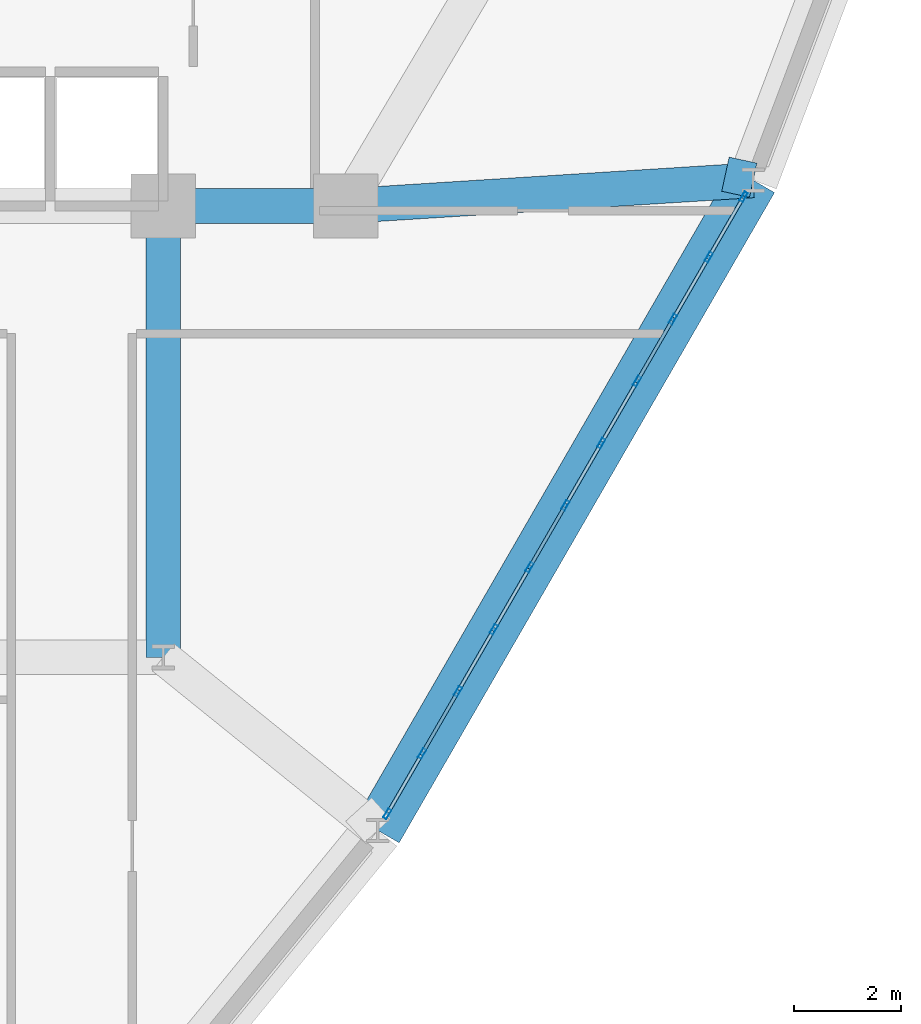
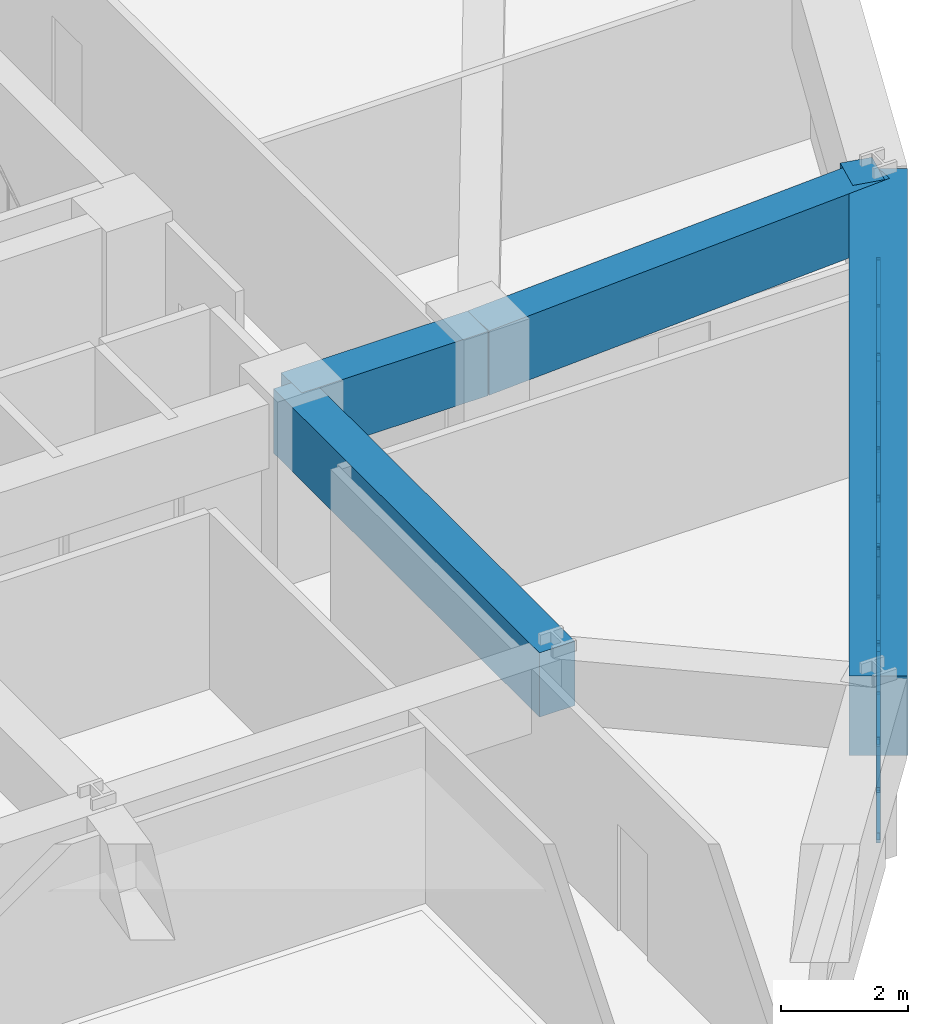
# One storey, part 6 of 15: 34 members, 5 beams, 1 element without a shape of its own.
"""IFC4 building model written with IfcOpenShell, lengths in metres."""

from ifc_helpers import new_model, si_unit, derived_unit, direction, frame, origin, origin_2d, place, context, subcontext, project, spatial, rectangle, hollow_rectangle, extrude, source, transform, mapped, material, layer, layer_set, material_profile, profile_set, type_object, element, aggregate, save


model = new_model("IFC4")

# Units and contexts
model_context = context("Model", 3, precision=1e-05, world=origin(), true_north=direction((0.0, 1.0)))
body_context = subcontext(model_context, "Body", "Model", "MODEL_VIEW")
ifc_project = project(units=[si_unit("LENGTHUNIT", "METRE"), si_unit("AREAUNIT", "SQUARE_METRE"), si_unit("VOLUMEUNIT", "CUBIC_METRE"), si_unit("PLANEANGLEUNIT", "RADIAN"), si_unit("MASSUNIT", "GRAM", prefix="KILO"), derived_unit("THERMALTRANSMITTANCEUNIT", [(si_unit("POWERUNIT", "WATT"), 1), (si_unit("LENGTHUNIT", "METRE"), -2), (si_unit("THERMODYNAMICTEMPERATUREUNIT", "KELVIN"), -1)])], contexts=[model_context])

# Site, building, storey
site_placement = place(None, origin())
site = spatial("IfcSite", under=ifc_project, at=site_placement, CompositionType="ELEMENT")
building_placement = place(site_placement, origin())
building = spatial("IfcBuilding", under=site, at=building_placement, Name="Korsvarv Bourse and Concert Hall", CompositionType="ELEMENT")
storey_placement = place(building_placement, frame((0.0, 0.0, 117.0)))
storey = spatial("IfcBuildingStorey", under=building, at=storey_placement, Name="L29", CompositionType="ELEMENT", Elevation=117.0)

# Beams
ifc_material_1 = material(Name="Concrete C50/60", Category="concrete")
ifc_material_profile_1 = material_profile(ifc_material_1, rectangle(XDim=0.64990234375, YDim=1.239990234375, at=origin_2d()), Name="RC-BM 650x1240")
ifc_profile_set_1 = profile_set([ifc_material_profile_1], Name="Concrete C50/60")
beam_type_1 = type_object("IfcBeamType", Name="BM-TR-SPN", PredefinedType="BEAM", material=ifc_profile_set_1)
shared_shape_1 = source(origin(), body_context, "Body", "SweptSolid", [
    extrude(rectangle(XDim=0.64990234375, YDim=1.239990234375, at=origin_2d()), origin(), (0.0, 0.0, 1.0), 3.400146484375),
])
beam_1_placement = place(storey_placement, frame((44.39990234375, 32.39990234375, 2.780029296875), z_axis=(1.0, 0.0, 0.0), x_axis=(0.0, 1.0, 0.0)))
element("IfcBeam", 1, at=beam_1_placement, inside=storey, type_object=beam_type_1, Name="L29 beam B-TRS", PredefinedType="BEAM", context=body_context, shape_type="MappedRepresentation", body=[
    mapped(shared_shape_1, transform((0.0, 0.0, 0.0), scale=1.0)),
])
shared_shape_2 = source(origin(), body_context, "Body", "SweptSolid", [
    extrude(rectangle(XDim=0.64990234375, YDim=1.239990234375, at=origin_2d()), origin(), (0.0, 0.0, 1.0), 8.39990234375),
])
beam_2_placement = place(storey_placement, frame((44.39990234375, 24.0, 2.780029296875), z_axis=(0.0, 1.0, 0.0), x_axis=(-1.0, 0.0, 0.0)))
element("IfcBeam", 2, at=beam_2_placement, inside=storey, type_object=beam_type_1, Name="L29 beam B-TRS", PredefinedType="BEAM", context=body_context, shape_type="MappedRepresentation", body=[
    mapped(shared_shape_2, transform((0.0, 0.0, 0.0), scale=1.0)),
])
ifc_material_profile_2 = material_profile(ifc_material_1, rectangle(XDim=0.919921875, YDim=1.530029296875, at=origin_2d()), Name="RC-BM 920x1530")
ifc_profile_set_2 = profile_set([ifc_material_profile_2], Name="Concrete C50/60")
beam_type_2 = type_object("IfcBeamType", Name="BM-TR-154", PredefinedType="BEAM", material=ifc_profile_set_2)
shared_shape_3 = source(origin(), body_context, "Body", "SweptSolid", [
    extrude(rectangle(XDim=0.919921875, YDim=1.530029296875, at=origin_2d()), origin(), (0.0, 0.0, 1.0), 13.97607421875),
])
beam_3_placement = place(storey_placement, frame((48.392822265625, 20.77587890625, 2.635009765625), z_axis=(0.500003708422, 0.866023262716, 0.0), x_axis=(-0.866023262716, 0.500003708422, 0.0)))
element("IfcBeam", 3, at=beam_3_placement, inside=storey, type_object=beam_type_2, Name="L29 beam B-TR6", PredefinedType="BEAM", context=body_context, shape_type="MappedRepresentation", body=[
    mapped(shared_shape_3, transform((0.0, 0.0, 0.0), scale=1.0)),
])
shared_shape_4 = source(origin(), body_context, "Body", "SweptSolid", [
    extrude(rectangle(XDim=0.64990234375, YDim=1.239990234375, at=origin_2d()), origin(), (0.0, 0.0, 1.0), 7.595947265625),
])
beam_4_placement = place(storey_placement, frame((55.380859375, 32.87939453125, 2.780029296875), z_axis=(-0.998005651397, -0.063124636867, 0.0), x_axis=(0.063124636867, -0.998005651397, 0.0)))
element("IfcBeam", 4, at=beam_4_placement, inside=storey, type_object=beam_type_1, Name="L29 beam B-TRS", PredefinedType="BEAM", context=body_context, shape_type="MappedRepresentation", body=[
    mapped(shared_shape_4, transform((0.0, 0.0, 0.0), scale=1.0)),
])
shared_shape_5 = source(origin(), body_context, "Body", "SweptSolid", [
    extrude(rectangle(XDim=0.64990234375, YDim=1.239990234375, at=origin_2d()), origin(), (0.0, 0.0, 1.0), 0.528564453125),
])
beam_5_placement = place(storey_placement, frame((55.380859375, 32.87939453125, 2.780029296875), z_axis=(-0.977272135556, 0.211988615416, 0.0), x_axis=(-0.211988615416, -0.977272135556, 0.0)))
element("IfcBeam", 5, at=beam_5_placement, inside=storey, type_object=beam_type_1, Name="L29 beam B-TRS", PredefinedType="BEAM", context=body_context, shape_type="MappedRepresentation", body=[
    mapped(shared_shape_5, transform((0.0, 0.0, 0.0), scale=1.0)),
])

# Curtain wall, members
ifc_material_2 = material(Name="Anodised aluminium and triple low-E glazing", Category="glass")
ifc_layer = layer(ifc_material_2, 0.2099609375)
ifc_layer_set = layer_set([ifc_layer], Name="Anodised aluminium and triple low-E glazing")
curtain_wall_type = type_object("IfcCurtainWallType", Name="CW-SYS-2", PredefinedType="NOTDEFINED", material=ifc_layer_set)
curtain_wall_placement = place(storey_placement, origin())
curtain_wall = element("IfcCurtainWall", 6, at=curtain_wall_placement, inside=storey, type_object=curtain_wall_type, Name="L29 CW2 curtain wall CW-L29-F11", PredefinedType="NOTDEFINED")
ifc_material_3 = material(Name="Extruded aluminium EN AW-6063 T66", Category="aluminium")
ifc_material_profile_3 = material_profile(ifc_material_3, hollow_rectangle(XDim=0.070068359375, YDim=0.18994140625, WallThickness=0.0048828125, at=origin_2d()), Name="ALU-M 70x190")
ifc_profile_set_3 = profile_set([ifc_material_profile_3], Name="Extruded aluminium EN AW-6063 T66")
member_type_1 = type_object("IfcMemberType", Name="CWM-190", PredefinedType="MULLION", material=ifc_profile_set_3)
shared_shape_6 = source(origin(), body_context, "Body", "SweptSolid", [
    extrude(hollow_rectangle(XDim=0.070068359375, YDim=0.18994140625, WallThickness=0.0048828125, at=origin_2d()), origin(), (0.0, 0.0, 1.0), 1.8701171875),
])
member_1_placement = place(storey_placement, frame((48.570556640625, 21.083740234375, 0.0), z_axis=(0.0, 0.0, 1.0), x_axis=(-0.866021744853, 0.500006337402, 0.0)))
member_1 = element("IfcMember", 7, at=member_1_placement, type_object=member_type_1, Name="CW2 mullion 1", PredefinedType="MULLION", context=body_context, shape_type="MappedRepresentation", body=[
    mapped(shared_shape_6, transform((0.0, 0.0, 0.0), scale=1.0)),
])
member_2_placement = place(storey_placement, frame((49.2197265625, 22.208251953125, 0.0), z_axis=(0.0, 0.0, 1.0), x_axis=(-0.866021744853, 0.500006337402, 0.0)))
member_2 = element("IfcMember", 8, at=member_2_placement, type_object=member_type_1, Name="CW2 mullion 2", PredefinedType="MULLION", context=body_context, shape_type="MappedRepresentation", body=[
    mapped(shared_shape_6, transform((0.0, 0.0, 0.0), scale=1.0)),
])
member_3_placement = place(storey_placement, frame((49.886474609375, 23.363037109375, 0.0), z_axis=(0.0, 0.0, 1.0), x_axis=(-0.866021744853, 0.500006337402, 0.0)))
member_3 = element("IfcMember", 9, at=member_3_placement, type_object=member_type_1, Name="CW2 mullion 3", PredefinedType="MULLION", context=body_context, shape_type="MappedRepresentation", body=[
    mapped(shared_shape_6, transform((0.0, 0.0, 0.0), scale=1.0)),
])
member_4_placement = place(storey_placement, frame((50.55322265625, 24.51806640625, 0.0), z_axis=(0.0, 0.0, 1.0), x_axis=(-0.866021744853, 0.500006337402, 0.0)))
member_4 = element("IfcMember", 10, at=member_4_placement, type_object=member_type_1, Name="CW2 mullion 4", PredefinedType="MULLION", context=body_context, shape_type="MappedRepresentation", body=[
    mapped(shared_shape_6, transform((0.0, 0.0, 0.0), scale=1.0)),
])
member_5_placement = place(storey_placement, frame((51.219970703125, 25.6728515625, 0.0), z_axis=(0.0, 0.0, 1.0), x_axis=(-0.866021744853, 0.500006337402, 0.0)))
member_5 = element("IfcMember", 11, at=member_5_placement, type_object=member_type_1, Name="CW2 mullion 5", PredefinedType="MULLION", context=body_context, shape_type="MappedRepresentation", body=[
    mapped(shared_shape_6, transform((0.0, 0.0, 0.0), scale=1.0)),
])
member_6_placement = place(storey_placement, frame((51.886962890625, 26.82763671875, 0.0), z_axis=(0.0, 0.0, 1.0), x_axis=(-0.866021744853, 0.500006337402, 0.0)))
member_6 = element("IfcMember", 12, at=member_6_placement, type_object=member_type_1, Name="CW2 mullion 6", PredefinedType="MULLION", context=body_context, shape_type="MappedRepresentation", body=[
    mapped(shared_shape_6, transform((0.0, 0.0, 0.0), scale=1.0)),
])
member_7_placement = place(storey_placement, frame((52.5537109375, 27.982666015625, 0.0), z_axis=(0.0, 0.0, 1.0), x_axis=(-0.866021744853, 0.500006337402, 0.0)))
member_7 = element("IfcMember", 13, at=member_7_placement, type_object=member_type_1, Name="CW2 mullion 7", PredefinedType="MULLION", context=body_context, shape_type="MappedRepresentation", body=[
    mapped(shared_shape_6, transform((0.0, 0.0, 0.0), scale=1.0)),
])
member_8_placement = place(storey_placement, frame((53.220458984375, 29.137451171875, 0.0), z_axis=(0.0, 0.0, 1.0), x_axis=(-0.866021744853, 0.500006337402, 0.0)))
member_8 = element("IfcMember", 14, at=member_8_placement, type_object=member_type_1, Name="CW2 mullion 8", PredefinedType="MULLION", context=body_context, shape_type="MappedRepresentation", body=[
    mapped(shared_shape_6, transform((0.0, 0.0, 0.0), scale=1.0)),
])
member_9_placement = place(storey_placement, frame((53.88720703125, 30.292236328125, 0.0), z_axis=(0.0, 0.0, 1.0), x_axis=(-0.866021744853, 0.500006337402, 0.0)))
member_9 = element("IfcMember", 15, at=member_9_placement, type_object=member_type_1, Name="CW2 mullion 9", PredefinedType="MULLION", context=body_context, shape_type="MappedRepresentation", body=[
    mapped(shared_shape_6, transform((0.0, 0.0, 0.0), scale=1.0)),
])
member_10_placement = place(storey_placement, frame((54.553955078125, 31.447021484375, 0.0), z_axis=(0.0, 0.0, 1.0), x_axis=(-0.866021744853, 0.500006337402, 0.0)))
member_10 = element("IfcMember", 16, at=member_10_placement, type_object=member_type_1, Name="CW2 mullion 10", PredefinedType="MULLION", context=body_context, shape_type="MappedRepresentation", body=[
    mapped(shared_shape_6, transform((0.0, 0.0, 0.0), scale=1.0)),
])
member_11_placement = place(storey_placement, frame((55.203125, 32.57177734375, 0.0), z_axis=(0.0, 0.0, 1.0), x_axis=(-0.866021744853, 0.500006337402, 0.0)))
member_11 = element("IfcMember", 17, at=member_11_placement, type_object=member_type_1, Name="CW2 mullion 11", PredefinedType="MULLION", context=body_context, shape_type="MappedRepresentation", body=[
    mapped(shared_shape_6, transform((0.0, 0.0, 0.0), scale=1.0)),
])
ifc_material_profile_4 = material_profile(ifc_material_3, hollow_rectangle(XDim=0.06494140625, YDim=0.139892578125, WallThickness=0.00390625, at=origin_2d()), Name="ALU-T 65x140")
ifc_profile_set_4 = profile_set([ifc_material_profile_4], Name="Extruded aluminium EN AW-6063 T66")
member_type_2 = type_object("IfcMemberType", Name="CWT-140", PredefinedType="USERDEFINED", material=ifc_profile_set_4)
shared_shape_7 = source(origin(), body_context, "Body", "SweptSolid", [
    extrude(hollow_rectangle(XDim=0.06494140625, YDim=0.139892578125, WallThickness=0.00390625, at=origin_2d()), origin(), (0.0, 0.0, 1.0), 1.228271484375),
])
member_12_placement = place(storey_placement, frame((54.571533203125, 31.4775390625, 0.032470703125), z_axis=(0.500072277755, 0.865983670182, 0.0), x_axis=(-0.865983670182, 0.500072277755, 0.0)))
member_12 = element("IfcMember", 18, at=member_12_placement, type_object=member_type_2, Name="CW2 transom 10.1", ObjectType="TRANSOM", PredefinedType="USERDEFINED", context=body_context, shape_type="MappedRepresentation", body=[
    mapped(shared_shape_7, transform((0.0, 0.0, 0.0), scale=1.0)),
])
member_13_placement = place(storey_placement, frame((54.571533203125, 31.4775390625, 1.83740234375), z_axis=(0.500072277755, 0.865983670182, 0.0), x_axis=(-0.865983670182, 0.500072277755, 0.0)))
member_13 = element("IfcMember", 19, at=member_13_placement, type_object=member_type_2, Name="CW2 transom 10.2", ObjectType="TRANSOM", PredefinedType="USERDEFINED", context=body_context, shape_type="MappedRepresentation", body=[
    mapped(shared_shape_7, transform((0.0, 0.0, 0.0), scale=1.0)),
])
shared_shape_8 = source(origin(), body_context, "Body", "SweptSolid", [
    extrude(hollow_rectangle(XDim=0.06494140625, YDim=0.139892578125, WallThickness=0.00390625, at=origin_2d()), origin(), (0.0, 0.0, 1.0), 1.263671875),
])
member_14_placement = place(storey_placement, frame((49.2373046875, 22.238525390625, 0.032470703125), z_axis=(0.500045805297, 0.865998956469, 0.0), x_axis=(-0.865998956469, 0.500045805297, 0.0)))
member_14 = element("IfcMember", 20, at=member_14_placement, type_object=member_type_2, Name="CW2 transom 2.1", ObjectType="TRANSOM", PredefinedType="USERDEFINED", context=body_context, shape_type="MappedRepresentation", body=[
    mapped(shared_shape_8, transform((0.0, 0.0, 0.0), scale=1.0)),
])
member_15_placement = place(storey_placement, frame((49.2373046875, 22.238525390625, 1.83740234375), z_axis=(0.500045805297, 0.865998956469, 0.0), x_axis=(-0.865998956469, 0.500045805297, 0.0)))
member_15 = element("IfcMember", 21, at=member_15_placement, type_object=member_type_2, Name="CW2 transom 2.2", ObjectType="TRANSOM", PredefinedType="USERDEFINED", context=body_context, shape_type="MappedRepresentation", body=[
    mapped(shared_shape_8, transform((0.0, 0.0, 0.0), scale=1.0)),
])
member_16_placement = place(storey_placement, frame((49.904052734375, 23.393310546875, 0.032470703125), z_axis=(0.500045805297, 0.865998956469, 0.0), x_axis=(-0.865998956469, 0.500045805297, 0.0)))
member_16 = element("IfcMember", 22, at=member_16_placement, type_object=member_type_2, Name="CW2 transom 3.1", ObjectType="TRANSOM", PredefinedType="USERDEFINED", context=body_context, shape_type="MappedRepresentation", body=[
    mapped(shared_shape_8, transform((0.0, 0.0, 0.0), scale=1.0)),
])
member_17_placement = place(storey_placement, frame((49.904052734375, 23.393310546875, 1.83740234375), z_axis=(0.500045805297, 0.865998956469, 0.0), x_axis=(-0.865998956469, 0.500045805297, 0.0)))
member_17 = element("IfcMember", 23, at=member_17_placement, type_object=member_type_2, Name="CW2 transom 3.2", ObjectType="TRANSOM", PredefinedType="USERDEFINED", context=body_context, shape_type="MappedRepresentation", body=[
    mapped(shared_shape_8, transform((0.0, 0.0, 0.0), scale=1.0)),
])
member_18_placement = place(storey_placement, frame((50.57080078125, 24.54833984375, 0.032470703125), z_axis=(0.500045805297, 0.865998956469, 0.0), x_axis=(-0.865998956469, 0.500045805297, 0.0)))
member_18 = element("IfcMember", 24, at=member_18_placement, type_object=member_type_2, Name="CW2 transom 4.1", ObjectType="TRANSOM", PredefinedType="USERDEFINED", context=body_context, shape_type="MappedRepresentation", body=[
    mapped(shared_shape_8, transform((0.0, 0.0, 0.0), scale=1.0)),
])
member_19_placement = place(storey_placement, frame((50.57080078125, 24.54833984375, 1.83740234375), z_axis=(0.500045805297, 0.865998956469, 0.0), x_axis=(-0.865998956469, 0.500045805297, 0.0)))
member_19 = element("IfcMember", 25, at=member_19_placement, type_object=member_type_2, Name="CW2 transom 4.2", ObjectType="TRANSOM", PredefinedType="USERDEFINED", context=body_context, shape_type="MappedRepresentation", body=[
    mapped(shared_shape_8, transform((0.0, 0.0, 0.0), scale=1.0)),
])
member_20_placement = place(storey_placement, frame((51.237548828125, 25.703125, 0.032470703125), z_axis=(0.500045805297, 0.865998956469, 0.0), x_axis=(-0.865998956469, 0.500045805297, 0.0)))
member_20 = element("IfcMember", 26, at=member_20_placement, type_object=member_type_2, Name="CW2 transom 5.1", ObjectType="TRANSOM", PredefinedType="USERDEFINED", context=body_context, shape_type="MappedRepresentation", body=[
    mapped(shared_shape_8, transform((0.0, 0.0, 0.0), scale=1.0)),
])
member_21_placement = place(storey_placement, frame((51.237548828125, 25.703125, 1.83740234375), z_axis=(0.500045805297, 0.865998956469, 0.0), x_axis=(-0.865998956469, 0.500045805297, 0.0)))
member_21 = element("IfcMember", 27, at=member_21_placement, type_object=member_type_2, Name="CW2 transom 5.2", ObjectType="TRANSOM", PredefinedType="USERDEFINED", context=body_context, shape_type="MappedRepresentation", body=[
    mapped(shared_shape_8, transform((0.0, 0.0, 0.0), scale=1.0)),
])
member_22_placement = place(storey_placement, frame((51.904296875, 26.85791015625, 0.032470703125), z_axis=(0.500045805297, 0.865998956469, 0.0), x_axis=(-0.865998956469, 0.500045805297, 0.0)))
member_22 = element("IfcMember", 28, at=member_22_placement, type_object=member_type_2, Name="CW2 transom 6.1", ObjectType="TRANSOM", PredefinedType="USERDEFINED", context=body_context, shape_type="MappedRepresentation", body=[
    mapped(shared_shape_8, transform((0.0, 0.0, 0.0), scale=1.0)),
])
member_23_placement = place(storey_placement, frame((51.904296875, 26.85791015625, 1.83740234375), z_axis=(0.500045805297, 0.865998956469, 0.0), x_axis=(-0.865998956469, 0.500045805297, 0.0)))
member_23 = element("IfcMember", 29, at=member_23_placement, type_object=member_type_2, Name="CW2 transom 6.2", ObjectType="TRANSOM", PredefinedType="USERDEFINED", context=body_context, shape_type="MappedRepresentation", body=[
    mapped(shared_shape_8, transform((0.0, 0.0, 0.0), scale=1.0)),
])
member_24_placement = place(storey_placement, frame((52.571044921875, 28.012939453125, 0.032470703125), z_axis=(0.500045805297, 0.865998956469, 0.0), x_axis=(-0.865998956469, 0.500045805297, 0.0)))
member_24 = element("IfcMember", 30, at=member_24_placement, type_object=member_type_2, Name="CW2 transom 7.1", ObjectType="TRANSOM", PredefinedType="USERDEFINED", context=body_context, shape_type="MappedRepresentation", body=[
    mapped(shared_shape_8, transform((0.0, 0.0, 0.0), scale=1.0)),
])
member_25_placement = place(storey_placement, frame((52.571044921875, 28.012939453125, 1.83740234375), z_axis=(0.500045805297, 0.865998956469, 0.0), x_axis=(-0.865998956469, 0.500045805297, 0.0)))
member_25 = element("IfcMember", 31, at=member_25_placement, type_object=member_type_2, Name="CW2 transom 7.2", ObjectType="TRANSOM", PredefinedType="USERDEFINED", context=body_context, shape_type="MappedRepresentation", body=[
    mapped(shared_shape_8, transform((0.0, 0.0, 0.0), scale=1.0)),
])
member_26_placement = place(storey_placement, frame((53.23779296875, 29.167724609375, 0.032470703125), z_axis=(0.500045805297, 0.865998956469, 0.0), x_axis=(-0.865998956469, 0.500045805297, 0.0)))
member_26 = element("IfcMember", 32, at=member_26_placement, type_object=member_type_2, Name="CW2 transom 8.1", ObjectType="TRANSOM", PredefinedType="USERDEFINED", context=body_context, shape_type="MappedRepresentation", body=[
    mapped(shared_shape_8, transform((0.0, 0.0, 0.0), scale=1.0)),
])
member_27_placement = place(storey_placement, frame((53.23779296875, 29.167724609375, 1.83740234375), z_axis=(0.500045805297, 0.865998956469, 0.0), x_axis=(-0.865998956469, 0.500045805297, 0.0)))
member_27 = element("IfcMember", 33, at=member_27_placement, type_object=member_type_2, Name="CW2 transom 8.2", ObjectType="TRANSOM", PredefinedType="USERDEFINED", context=body_context, shape_type="MappedRepresentation", body=[
    mapped(shared_shape_8, transform((0.0, 0.0, 0.0), scale=1.0)),
])
member_28_placement = place(storey_placement, frame((53.904541015625, 30.322509765625, 0.032470703125), z_axis=(0.500045805297, 0.865998956469, 0.0), x_axis=(-0.865998956469, 0.500045805297, 0.0)))
member_28 = element("IfcMember", 34, at=member_28_placement, type_object=member_type_2, Name="CW2 transom 9.1", ObjectType="TRANSOM", PredefinedType="USERDEFINED", context=body_context, shape_type="MappedRepresentation", body=[
    mapped(shared_shape_8, transform((0.0, 0.0, 0.0), scale=1.0)),
])
member_29_placement = place(storey_placement, frame((53.904541015625, 30.322509765625, 1.83740234375), z_axis=(0.500045805297, 0.865998956469, 0.0), x_axis=(-0.865998956469, 0.500045805297, 0.0)))
member_29 = element("IfcMember", 35, at=member_29_placement, type_object=member_type_2, Name="CW2 transom 9.2", ObjectType="TRANSOM", PredefinedType="USERDEFINED", context=body_context, shape_type="MappedRepresentation", body=[
    mapped(shared_shape_8, transform((0.0, 0.0, 0.0), scale=1.0)),
])
ifc_material_profile_5 = material_profile(ifc_material_3, hollow_rectangle(XDim=0.06494140625, YDim=0.1650390625, WallThickness=0.0048828125, at=origin_2d()), Name="ALU-M 65x165")
ifc_profile_set_5 = profile_set([ifc_material_profile_5], Name="Extruded aluminium EN AW-6063 T66")
member_type_3 = type_object("IfcMemberType", Name="CWM-165", PredefinedType="MULLION", material=ifc_profile_set_5)
shared_shape_9 = source(origin(), body_context, "Body", "SweptSolid", [
    extrude(hollow_rectangle(XDim=0.06494140625, YDim=0.1650390625, WallThickness=0.0048828125, at=origin_2d()), origin(), (0.0, 0.0, 1.0), 2.150390625),
])
member_30_placement = place(storey_placement, frame((49.2373046875, 22.238525390625, 0.06494140625), z_axis=(0.293825059629, 0.508857773283, 0.809154250377), x_axis=(-0.865998956469, 0.500045805297, 0.0)))
member_30 = element("IfcMember", 36, at=member_30_placement, type_object=member_type_3, Name="CW2 diagonal mullion 2", PredefinedType="MULLION", context=body_context, shape_type="MappedRepresentation", body=[
    mapped(shared_shape_9, transform((0.0, 0.0, 0.0), scale=1.0)),
])
member_31_placement = place(storey_placement, frame((51.869384765625, 26.79736328125, 0.06494140625), z_axis=(-0.293825059629, -0.508857773283, 0.809154250377), x_axis=(0.865998956469, -0.500045805297, 0.0)))
member_31 = element("IfcMember", 37, at=member_31_placement, type_object=member_type_3, Name="CW2 diagonal mullion 5", PredefinedType="MULLION", context=body_context, shape_type="MappedRepresentation", body=[
    mapped(shared_shape_9, transform((0.0, 0.0, 0.0), scale=1.0)),
])
member_32_placement = place(storey_placement, frame((53.23779296875, 29.167724609375, 0.06494140625), z_axis=(0.293825059629, 0.508857773283, 0.809154250377), x_axis=(-0.865998956469, 0.500045805297, 0.0)))
member_32 = element("IfcMember", 38, at=member_32_placement, type_object=member_type_3, Name="CW2 diagonal mullion 8", PredefinedType="MULLION", context=body_context, shape_type="MappedRepresentation", body=[
    mapped(shared_shape_9, transform((0.0, 0.0, 0.0), scale=1.0)),
])
shared_shape_10 = source(origin(), body_context, "Body", "SweptSolid", [
    extrude(hollow_rectangle(XDim=0.06494140625, YDim=0.139892578125, WallThickness=0.00390625, at=origin_2d()), origin(), (0.0, 0.0, 1.0), 1.228515625),
])
member_33_placement = place(storey_placement, frame((48.587890625, 21.114013671875, 0.032470703125), z_axis=(0.499986217557, 0.866033360935, 0.0), x_axis=(-0.866033360935, 0.499986217557, 0.0)))
member_33 = element("IfcMember", 39, at=member_33_placement, type_object=member_type_2, Name="CW2 transom 1.1", ObjectType="TRANSOM", PredefinedType="USERDEFINED", context=body_context, shape_type="MappedRepresentation", body=[
    mapped(shared_shape_10, transform((0.0, 0.0, 0.0), scale=1.0)),
])
member_34_placement = place(storey_placement, frame((48.587890625, 21.114013671875, 1.83740234375), z_axis=(0.499986217557, 0.866033360935, 0.0), x_axis=(-0.866033360935, 0.499986217557, 0.0)))
member_34 = element("IfcMember", 40, at=member_34_placement, type_object=member_type_2, Name="CW2 transom 1.2", ObjectType="TRANSOM", PredefinedType="USERDEFINED", context=body_context, shape_type="MappedRepresentation", body=[
    mapped(shared_shape_10, transform((0.0, 0.0, 0.0), scale=1.0)),
])
aggregate(curtain_wall, [member_1, member_2, member_3, member_4, member_5, member_6, member_7, member_8, member_9, member_10, member_11, member_33, member_34, member_14, member_15, member_30, member_16, member_17, member_18, member_19, member_20, member_21, member_31, member_22, member_23, member_24, member_25, member_26, member_27, member_32, member_28, member_29, member_12, member_13])

save(model, "model.ifc")
